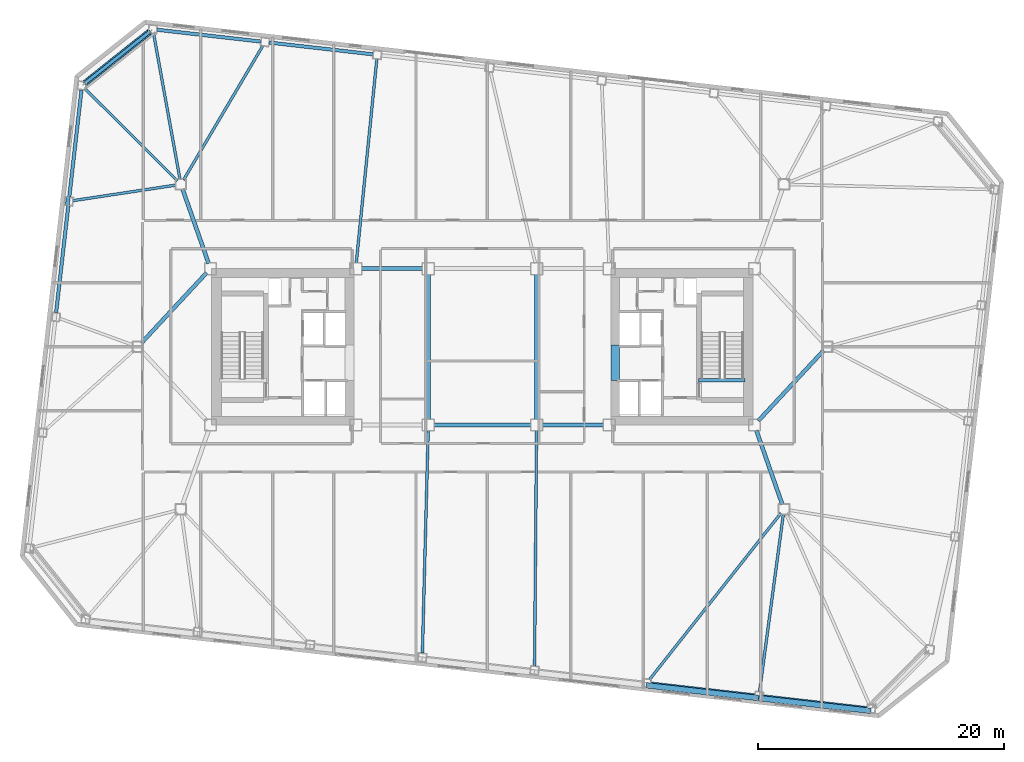
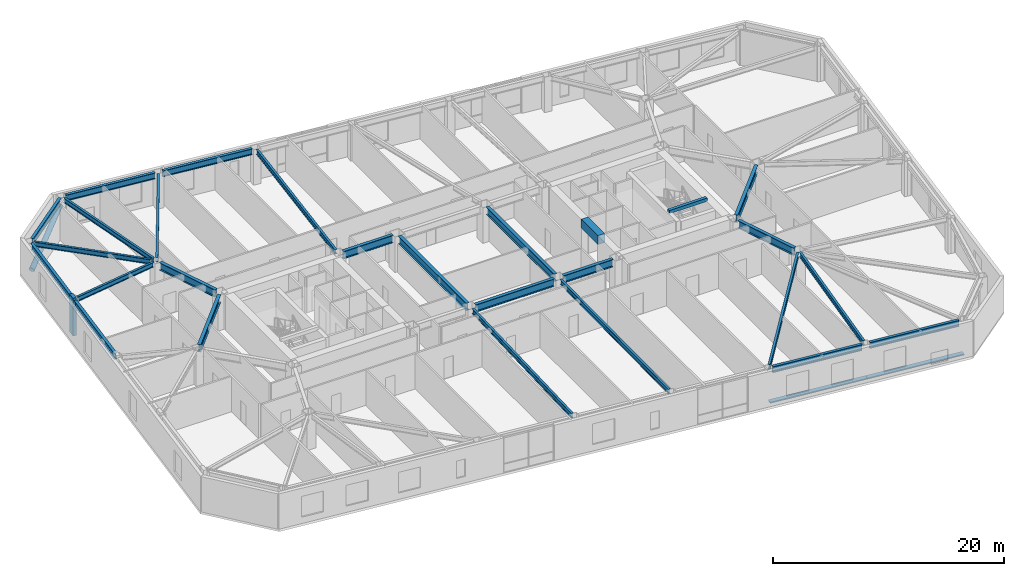
# One storey, part 5 of 21: 27 beams, 4 members.
"""IFC4 building model written with IfcOpenShell, lengths in metres."""

from ifc_helpers import new_model, si_unit, direction, frame, origin, origin_2d, place, context, subcontext, project, spatial, rectangle, hollow_circle, i_section, extrude, material, material_profile, profile_set, type_object, element, save


model = new_model("IFC4")

# Units and contexts
model_context = context("Model", 3, precision=1e-05, world=origin(), true_north=direction((0.0, 1.0)))
body_context = subcontext(model_context, "Body", "Model", "MODEL_VIEW")
ifc_project = project(units=[si_unit("LENGTHUNIT", "METRE"), si_unit("AREAUNIT", "SQUARE_METRE"), si_unit("VOLUMEUNIT", "CUBIC_METRE"), si_unit("PLANEANGLEUNIT", "RADIAN"), si_unit("MASSUNIT", "GRAM", prefix="KILO")], contexts=[model_context])

# Site, building, storey
site_placement = place(None, origin())
site = spatial("IfcSite", under=ifc_project, at=site_placement, CompositionType="ELEMENT")
building_placement = place(site_placement, origin())
building = spatial("IfcBuilding", under=site, at=building_placement, Name="Tavrogorsk Clinical Tower", CompositionType="ELEMENT")
storey_placement = place(building_placement, frame((0.0, 0.0, 129.39990234375)))
storey = spatial("IfcBuildingStorey", under=building, at=storey_placement, Name="L29", CompositionType="ELEMENT", Elevation=129.39990234375)

# Members
ifc_material_1 = material(Name="Anodised aluminium alloy AW-6063", Category="aluminium")
ifc_material_profile_1 = material_profile(ifc_material_1, rectangle(XDim=0.449951171875, YDim=0.1201171875, at=origin_2d()), Name="ALU-SUNSHADE-450x120")
ifc_profile_set_1 = profile_set([ifc_material_profile_1], Name="Anodised aluminium alloy AW-6063")
member_type_1 = type_object("IfcMemberType", Name="ChicagoSunshade_450x120", PredefinedType="USERDEFINED", material=ifc_profile_set_1)
for number, where, z_axis, x_axis, name in (
    (1, (13.326416015625, -27.502197265625, 0.18017578125), (0.993572654864, -0.113196199166, 0.0), (0.113196199166, 0.993572654864, 0.0), "L29 South Aluminium Sunshade S6"),
    (2, (22.444580078125, -28.541015625, 0.18017578125), (0.993572654864, -0.113196199166, 0.0), (0.113196199166, 0.993572654864, 0.0), "L29 South Aluminium Sunshade S7"),
):
    element("IfcMember", number, at=place(storey_placement, frame(where, z_axis=z_axis, x_axis=x_axis)), inside=storey, type_object=member_type_1, Name=name, ObjectType="SUNSHADE", PredefinedType="USERDEFINED", context=body_context, shape_type="SweptSolid", body=[
        extrude(rectangle(XDim=0.449951171875, YDim=0.1201171875, at=origin_2d()), origin(), (0.0, 0.0, 1.0), 9.17724609375),
    ])

# Beam
ifc_material_2 = material(Name="Concrete B80", Category="concrete")
ifc_material_profile_2 = material_profile(ifc_material_2, rectangle(XDim=0.699951171875, YDim=0.949951171875, at=origin_2d()), Name="RC-CB-700x950")
ifc_profile_set_2 = profile_set([ifc_material_profile_2], Name="Concrete B80")
beam_type_1 = type_object("IfcBeamType", Name="CouplingBeam_RC700x950", PredefinedType="LINTEL", material=ifc_profile_set_2)
beam_1_placement = place(storey_placement, frame((10.800048828125, -2.75, 3.26513671875), z_axis=(0.0, 1.0, 0.0), x_axis=(-1.0, 0.0, 0.0)))
element("IfcBeam", 3, at=beam_1_placement, inside=storey, type_object=beam_type_1, Name="L29 Core East Coupling Beam", PredefinedType="LINTEL", context=body_context, shape_type="SweptSolid", body=[
    extrude(rectangle(XDim=0.699951171875, YDim=0.949951171875, at=origin_2d()), origin(), (0.0, 0.0, 1.0), 2.89990234375),
])

# Member
ifc_material_3 = material(Name="Structural steel S440", Category="steel")
ifc_material_profile_3 = material_profile(ifc_material_3, hollow_circle(Radius=0.25390625, WallThickness=0.02001953125, at=origin_2d()), Name="CHS-508x20")
ifc_profile_set_3 = profile_set([ifc_material_profile_3], Name="Structural steel S440")
member_type_2 = type_object("IfcMemberType", Name="ExoBrace_CHS508", PredefinedType="BRACE", material=ifc_profile_set_3)
member_1_placement = place(storey_placement, frame((-32.27587890625, 21.431884765625, 0.425048828125), z_axis=(0.73336936718, 0.583326985798, 0.349140371371), x_axis=(-0.622500682662, 0.782619256143, 0.0)))
element("IfcMember", 4, at=member_1_placement, inside=storey, type_object=member_type_2, Name="L29 Corner Exoskeleton Brace N8-W1", PredefinedType="BRACE", context=body_context, shape_type="SweptSolid", body=[
    extrude(hollow_circle(Radius=0.25390625, WallThickness=0.02001953125, at=origin_2d()), origin(), (0.0, 0.0, 1.0), 7.1318359375),
])

# Beams
ifc_material_4 = material(Name="Structural steel S355", Category="steel")
ifc_material_profile_4 = material_profile(ifc_material_4, i_section(OverallWidth=0.219970703125, OverallDepth=0.5, WebThickness=0.012939453125, FlangeThickness=0.02001953125, at=origin_2d()), Name="B-500x220x13x20")
ifc_profile_set_4 = profile_set([ifc_material_profile_4], Name="Structural steel S355")
beam_type_2 = type_object("IfcBeamType", Name="FloorBeam_B500", PredefinedType="BEAM", material=ifc_profile_set_4)
beam_2_placement = place(storey_placement, frame((-4.411865234375, -6.809814453125, 3.489990234375), z_axis=(-0.025907273598, -0.999664350257, 0.0), x_axis=(0.999664350257, -0.025907273598, 0.0)))
element("IfcBeam", 5, at=beam_2_placement, inside=storey, type_object=beam_type_2, Name="L29 Radial Floor Beam S4", PredefinedType="BEAM", context=body_context, shape_type="SweptSolid", body=[
    extrude(i_section(OverallWidth=0.219970703125, OverallDepth=0.5, WebThickness=0.012939453125, FlangeThickness=0.02001953125, at=origin_2d()), origin(), (0.0, 0.0, 1.0), 18.083984375),
])
beam_3_placement = place(storey_placement, frame((4.39599609375, -6.81005859375, 3.489990234375), z_axis=(-0.00859471964, -0.999963064715, 0.0), x_axis=(0.999963064715, -0.00859471964, 0.0)))
element("IfcBeam", 6, at=beam_3_placement, inside=storey, type_object=beam_type_2, Name="L29 Radial Floor Beam S5", PredefinedType="BEAM", context=body_context, shape_type="SweptSolid", body=[
    extrude(i_section(OverallWidth=0.219970703125, OverallDepth=0.5, WebThickness=0.012939453125, FlangeThickness=0.02001953125, at=origin_2d()), origin(), (0.0, 0.0, 1.0), 19.1171875),
])
beam_4_placement = place(storey_placement, frame((24.245849609375, -13.521728515625, 3.489990234375), z_axis=(-0.619757312108, -0.784793523221, 0.0), x_axis=(0.784793523221, -0.619757312108, 0.0)))
element("IfcBeam", 7, at=beam_4_placement, inside=storey, type_object=beam_type_2, Name="L29 Radial Floor Beam S6", PredefinedType="BEAM", context=body_context, shape_type="SweptSolid", body=[
    extrude(i_section(OverallWidth=0.219970703125, OverallDepth=0.5, WebThickness=0.012939453125, FlangeThickness=0.02001953125, at=origin_2d()), origin(), (0.0, 0.0, 1.0), 17.22802734375),
])
beam_5_placement = place(storey_placement, frame((24.445556640625, -13.6064453125, 3.489990234375), z_axis=(-0.133025440596, -0.991112623345, 0.0), x_axis=(0.991112623345, -0.133025440596, 0.0)))
element("IfcBeam", 8, at=beam_5_placement, inside=storey, type_object=beam_type_2, Name="L29 Radial Floor Beam S7", PredefinedType="BEAM", context=body_context, shape_type="SweptSolid", body=[
    extrude(i_section(OverallWidth=0.219970703125, OverallDepth=0.5, WebThickness=0.012939453125, FlangeThickness=0.02001953125, at=origin_2d()), origin(), (0.0, 0.0, 1.0), 14.530029296875),
])
beam_6_placement = place(storey_placement, frame((-10.25390625, 6.8076171875, 3.489990234375), z_axis=(0.100407035617, 0.994946444387, 0.0), x_axis=(-0.994946444387, 0.100407035617, 0.0)))
element("IfcBeam", 9, at=beam_6_placement, inside=storey, type_object=beam_type_2, Name="L29 Radial Floor Beam N6", PredefinedType="BEAM", context=body_context, shape_type="SweptSolid", body=[
    extrude(i_section(OverallWidth=0.219970703125, OverallDepth=0.5, WebThickness=0.012939453125, FlangeThickness=0.02001953125, at=origin_2d()), origin(), (0.0, 0.0, 1.0), 16.643798828125),
])
beam_7_placement = place(storey_placement, frame((-24.291259765625, 13.552978515625, 3.489990234375), z_axis=(0.508876748392, 0.86083938975, 0.0), x_axis=(-0.86083938975, 0.508876748392, 0.0)))
element("IfcBeam", 10, at=beam_7_placement, inside=storey, type_object=beam_type_2, Name="L29 Radial Floor Beam N7", PredefinedType="BEAM", context=body_context, shape_type="SweptSolid", body=[
    extrude(i_section(OverallWidth=0.219970703125, OverallDepth=0.5, WebThickness=0.012939453125, FlangeThickness=0.02001953125, at=origin_2d()), origin(), (0.0, 0.0, 1.0), 12.663330078125),
])
beam_8_placement = place(storey_placement, frame((-24.572998046875, 13.603515625, 3.489990234375), z_axis=(-0.178287530482, 0.983978432932, 0.0), x_axis=(-0.983978432932, -0.178287530482, 0.0)))
element("IfcBeam", 11, at=beam_8_placement, inside=storey, type_object=beam_type_2, Name="L29 Radial Floor Beam N8", PredefinedType="BEAM", context=body_context, shape_type="SweptSolid", body=[
    extrude(i_section(OverallWidth=0.219970703125, OverallDepth=0.5, WebThickness=0.012939453125, FlangeThickness=0.02001953125, at=origin_2d()), origin(), (0.0, 0.0, 1.0), 12.0380859375),
])
beam_9_placement = place(storey_placement, frame((-24.790283203125, 13.48974609375, 3.489990234375), z_axis=(-0.707775090959, 0.706437839175, 0.0), x_axis=(-0.706437839175, -0.707775090959, 0.0)))
element("IfcBeam", 12, at=beam_9_placement, inside=storey, type_object=beam_type_2, Name="L29 Radial Floor Beam W1", PredefinedType="BEAM", context=body_context, shape_type="SweptSolid", body=[
    extrude(i_section(OverallWidth=0.219970703125, OverallDepth=0.5, WebThickness=0.012939453125, FlangeThickness=0.02001953125, at=origin_2d()), origin(), (0.0, 0.0, 1.0), 10.589111328125),
])
beam_10_placement = place(storey_placement, frame((-24.905517578125, 13.138671875, 3.489990234375), z_axis=(-0.98878314082, -0.149358295482, 0.0), x_axis=(0.149358295482, -0.98878314082, 0.0)))
element("IfcBeam", 13, at=beam_10_placement, inside=storey, type_object=beam_type_2, Name="L29 Radial Floor Beam W2", PredefinedType="BEAM", context=body_context, shape_type="SweptSolid", body=[
    extrude(i_section(OverallWidth=0.219970703125, OverallDepth=0.5, WebThickness=0.012939453125, FlangeThickness=0.02001953125, at=origin_2d()), origin(), (0.0, 0.0, 1.0), 8.4443359375),
])

# Member
ifc_material_5 = material(Name="Precast concrete B45 with limestone cladding", Category="masonry")
ifc_material_profile_5 = material_profile(ifc_material_5, rectangle(XDim=0.320068359375, YDim=0.719970703125, at=origin_2d()), Name="LIMESTONE-FIN-320x720")
ifc_profile_set_5 = profile_set([ifc_material_profile_5], Name="Precast concrete B45 with limestone cladding")
member_type_3 = type_object("IfcMemberType", Name="LimestonePleatFin_320x720", PredefinedType="USERDEFINED", material=ifc_profile_set_5)
member_2_placement = place(storey_placement, frame((-33.688720703125, 11.8330078125, 0.0), z_axis=(0.0, 0.0, 1.0), x_axis=(0.993571855677, -0.113203213768, 0.0)))
element("IfcMember", 14, at=member_2_placement, inside=storey, type_object=member_type_3, Name="L29 W Pleated Stone Fin 1", ObjectType="FIN", PredefinedType="USERDEFINED", context=body_context, shape_type="SweptSolid", body=[
    extrude(rectangle(XDim=0.320068359375, YDim=0.719970703125, at=origin_2d()), origin(), (0.0, 0.0, 1.0), 4.0),
])

# Beams
ifc_material_6 = material(Name="Structural steel S390", Category="steel")
ifc_material_profile_6 = material_profile(ifc_material_6, i_section(OverallWidth=0.320068359375, OverallDepth=0.800048828125, WebThickness=0.02001953125, FlangeThickness=0.033935546875, at=origin_2d()), Name="B-800x320x20x34")
ifc_profile_set_6 = profile_set([ifc_material_profile_6], Name="Structural steel S390")
beam_type_3 = type_object("IfcBeamType", Name="PrimaryGirder_B800", PredefinedType="USERDEFINED", material=ifc_profile_set_6)
beam_11_placement = place(storey_placement, frame((-9.840087890625, 6.35009765625, 3.340087890625), z_axis=(1.0, 0.0, 0.0), x_axis=(0.0, 1.0, 0.0)))
element("IfcBeam", 15, at=beam_11_placement, inside=storey, type_object=beam_type_3, Name="L29 Primary Spine Girder MG-02", ObjectType="GIRDER", PredefinedType="USERDEFINED", context=body_context, shape_type="SweptSolid", body=[
    extrude(i_section(OverallWidth=0.320068359375, OverallDepth=0.800048828125, WebThickness=0.02001953125, FlangeThickness=0.033935546875, at=origin_2d()), origin(), (0.0, 0.0, 1.0), 4.97998046875),
])
beam_12_placement = place(storey_placement, frame((-3.93994140625, -6.35009765625, 3.340087890625), z_axis=(1.0, 0.0, 0.0), x_axis=(0.0, 1.0, 0.0)))
element("IfcBeam", 16, at=beam_12_placement, inside=storey, type_object=beam_type_3, Name="L29 Primary Spine Girder MG-03", ObjectType="GIRDER", PredefinedType="USERDEFINED", context=body_context, shape_type="SweptSolid", body=[
    extrude(i_section(OverallWidth=0.320068359375, OverallDepth=0.800048828125, WebThickness=0.02001953125, FlangeThickness=0.033935546875, at=origin_2d()), origin(), (0.0, 0.0, 1.0), 7.8798828125),
])
beam_13_placement = place(storey_placement, frame((4.860107421875, -6.35009765625, 3.340087890625), z_axis=(1.0, 0.0, 0.0), x_axis=(0.0, 1.0, 0.0)))
element("IfcBeam", 17, at=beam_13_placement, inside=storey, type_object=beam_type_3, Name="L29 Primary Spine Girder MG-05", ObjectType="GIRDER", PredefinedType="USERDEFINED", context=body_context, shape_type="SweptSolid", body=[
    extrude(i_section(OverallWidth=0.320068359375, OverallDepth=0.800048828125, WebThickness=0.02001953125, FlangeThickness=0.033935546875, at=origin_2d()), origin(), (0.0, 0.0, 1.0), 4.97998046875),
])
for number, where, z_axis, x_axis, name in (
    (18, (-4.39990234375, -5.889892578125, 3.340087890625), (0.0, 1.0, 0.0), (-1.0, 0.0, 0.0), "L29 Primary Spine Girder MG-07"),
    (19, (4.39990234375, -5.889892578125, 3.340087890625), (0.0, 1.0, 0.0), (-1.0, 0.0, 0.0), "L29 Primary Spine Girder MG-08"),
):
    element("IfcBeam", number, at=place(storey_placement, frame(where, z_axis=z_axis, x_axis=x_axis)), inside=storey, type_object=beam_type_3, Name=name, ObjectType="GIRDER", PredefinedType="USERDEFINED", context=body_context, shape_type="SweptSolid", body=[
        extrude(i_section(OverallWidth=0.320068359375, OverallDepth=0.800048828125, WebThickness=0.02001953125, FlangeThickness=0.033935546875, at=origin_2d()), origin(), (0.0, 0.0, 1.0), 11.77978515625),
    ])
for number, where, z_axis, x_axis, name in (
    (20, (24.364501953125, -12.81298828125, 3.340087890625), (-0.330660234815, 0.943749865755, 0.0), (-0.943749865755, -0.330660234815, 0.0), "L29 Spine Link Girder OPG-2"),
    (21, (-24.364501953125, 12.81298828125, 3.340087890625), (0.330660234815, -0.943749865755, 0.0), (0.943749865755, 0.330660234815, 0.0), "L29 Spine Link Girder OPG-3"),
):
    element("IfcBeam", number, at=place(storey_placement, frame(where, z_axis=z_axis, x_axis=x_axis)), inside=storey, type_object=beam_type_3, Name=name, ObjectType="GIRDER", PredefinedType="USERDEFINED", context=body_context, shape_type="SweptSolid", body=[
        extrude(i_section(OverallWidth=0.320068359375, OverallDepth=0.800048828125, WebThickness=0.02001953125, FlangeThickness=0.033935546875, at=origin_2d()), origin(), (0.0, 0.0, 1.0), 6.38818359375),
    ])
for number, where, z_axis, x_axis, name in (
    (22, (-27.720947265625, 0.30029296875, 3.340087890625), (0.680675630035, 0.732584934787, 0.0), (-0.732584934787, 0.680675630035, 0.0), "L29 Spine Link Girder OPG-6"),
    (23, (27.720947265625, -0.30029296875, 3.340087890625), (-0.680675630035, -0.732584934787, 0.0), (0.732584934787, -0.680675630035, 0.0), "L29 Spine Link Girder OPG-7"),
):
    element("IfcBeam", number, at=place(storey_placement, frame(where, z_axis=z_axis, x_axis=x_axis)), inside=storey, type_object=beam_type_3, Name=name, ObjectType="GIRDER", PredefinedType="USERDEFINED", context=body_context, shape_type="SweptSolid", body=[
        extrude(i_section(OverallWidth=0.320068359375, OverallDepth=0.800048828125, WebThickness=0.02001953125, FlangeThickness=0.033935546875, at=origin_2d()), origin(), (0.0, 0.0, 1.0), 7.7978515625),
    ])
ifc_material_7 = material(Name="Structural steel S390", Category="steel")
ifc_material_profile_7 = material_profile(ifc_material_7, i_section(OverallWidth=0.280029296875, OverallDepth=0.64990234375, WebThickness=0.01611328125, FlangeThickness=0.02490234375, at=origin_2d()), Name="B-650x280x16x25")
ifc_profile_set_7 = profile_set([ifc_material_profile_7], Name="Structural steel S390")
beam_type_4 = type_object("IfcBeamType", Name="SpandrelBeam_B650", PredefinedType="SPANDREL", material=ifc_profile_set_7)
beam_14_placement = place(storey_placement, frame((13.702392578125, -27.36376953125, 3.4150390625), z_axis=(0.993569819641, -0.113221082395, 0.0), x_axis=(0.113221082395, 0.993569819641, 0.0)))
element("IfcBeam", 24, at=beam_14_placement, inside=storey, type_object=beam_type_4, Name="L29 Perimeter Spandrel S6-S7", PredefinedType="SPANDREL", context=body_context, shape_type="SweptSolid", body=[
    extrude(i_section(OverallWidth=0.280029296875, OverallDepth=0.64990234375, WebThickness=0.01611328125, FlangeThickness=0.02490234375, at=origin_2d()), origin(), (0.0, 0.0, 1.0), 8.46142578125),
])
beam_15_placement = place(storey_placement, frame((22.82080078125, -28.40283203125, 3.4150390625), z_axis=(0.99357232562, -0.113199089054, 0.0), x_axis=(0.113199089054, 0.99357232562, 0.0)))
element("IfcBeam", 25, at=beam_15_placement, inside=storey, type_object=beam_type_4, Name="L29 Perimeter Spandrel S7-S8", PredefinedType="SPANDREL", context=body_context, shape_type="SweptSolid", body=[
    extrude(i_section(OverallWidth=0.280029296875, OverallDepth=0.64990234375, WebThickness=0.01611328125, FlangeThickness=0.02490234375, at=origin_2d()), origin(), (0.0, 0.0, 1.0), 8.4609375),
])
for number, where, z_axis, x_axis, name in (
    (26, (-8.902587890625, 23.763916015625, 3.4150390625), (-0.993572695356, 0.113195843756, 0.0), (-0.113195843756, -0.993572695356, 0.0), "L29 Perimeter Spandrel N6-N7"),
    (27, (-18.020751953125, 24.802734375, 3.4150390625), (-0.993572695356, 0.113195843756, 0.0), (-0.113195843756, -0.993572695356, 0.0), "L29 Perimeter Spandrel N7-N8"),
):
    element("IfcBeam", number, at=place(storey_placement, frame(where, z_axis=z_axis, x_axis=x_axis)), inside=storey, type_object=beam_type_4, Name=name, PredefinedType="SPANDREL", context=body_context, shape_type="SweptSolid", body=[
        extrude(i_section(OverallWidth=0.280029296875, OverallDepth=0.64990234375, WebThickness=0.01611328125, FlangeThickness=0.02490234375, at=origin_2d()), origin(), (0.0, 0.0, 1.0), 8.461181640625),
    ])
beam_16_placement = place(storey_placement, frame((-27.063232421875, 25.578125, 3.4150390625), z_axis=(-0.782613271493, -0.622508206599, 0.0), x_axis=(0.622508206599, -0.782613271493, 0.0)))
element("IfcBeam", 28, at=beam_16_placement, inside=storey, type_object=beam_type_4, Name="L29 Perimeter Spandrel N8-W1", PredefinedType="SPANDREL", context=body_context, shape_type="SweptSolid", body=[
    extrude(i_section(OverallWidth=0.280029296875, OverallDepth=0.64990234375, WebThickness=0.01611328125, FlangeThickness=0.02490234375, at=origin_2d()), origin(), (0.0, 0.0, 1.0), 6.6376953125),
])
for number, where, z_axis, x_axis, name in (
    (29, (-32.578857421875, 20.867431640625, 3.4150390625), (-0.113192226434, -0.993573107464, 0.0), (0.993573107464, -0.113192226434, 0.0), "L29 Perimeter Spandrel W1-W2"),
    (30, (-33.649658203125, 11.46826171875, 3.4150390625), (-0.113219789686, -0.993569966949, 0.0), (0.993569966949, -0.113219789686, 0.0), "L29 Perimeter Spandrel W2-W3"),
):
    element("IfcBeam", number, at=place(storey_placement, frame(where, z_axis=z_axis, x_axis=x_axis)), inside=storey, type_object=beam_type_4, Name=name, PredefinedType="SPANDREL", context=body_context, shape_type="SweptSolid", body=[
        extrude(i_section(OverallWidth=0.280029296875, OverallDepth=0.64990234375, WebThickness=0.01611328125, FlangeThickness=0.02490234375, at=origin_2d()), origin(), (0.0, 0.0, 1.0), 8.743896484375),
    ])
ifc_material_8 = material(Name="Concrete B60", Category="concrete")
ifc_material_profile_8 = material_profile(ifc_material_8, rectangle(XDim=0.300048828125, YDim=0.35009765625, at=origin_2d()), Name="RC-SHB-300x350")
ifc_profile_set_8 = profile_set([ifc_material_profile_8], Name="Concrete B60")
beam_type_5 = type_object("IfcBeamType", Name="StairHeaderBeam_RC300x350", PredefinedType="BEAM", material=ifc_profile_set_8)
beam_17_placement = place(storey_placement, frame((17.550048828125, -2.719970703125, 3.8251953125), z_axis=(1.0, 0.0, 0.0), x_axis=(0.0, 1.0, 0.0)))
element("IfcBeam", 31, at=beam_17_placement, inside=storey, type_object=beam_type_5, Name="L30 ST-E Landing Header Beam", PredefinedType="BEAM", context=body_context, shape_type="SweptSolid", body=[
    extrude(rectangle(XDim=0.300048828125, YDim=0.35009765625, at=origin_2d()), origin(), (0.0, 0.0, 1.0), 3.800048828125),
])

save(model, "model.ifc")
